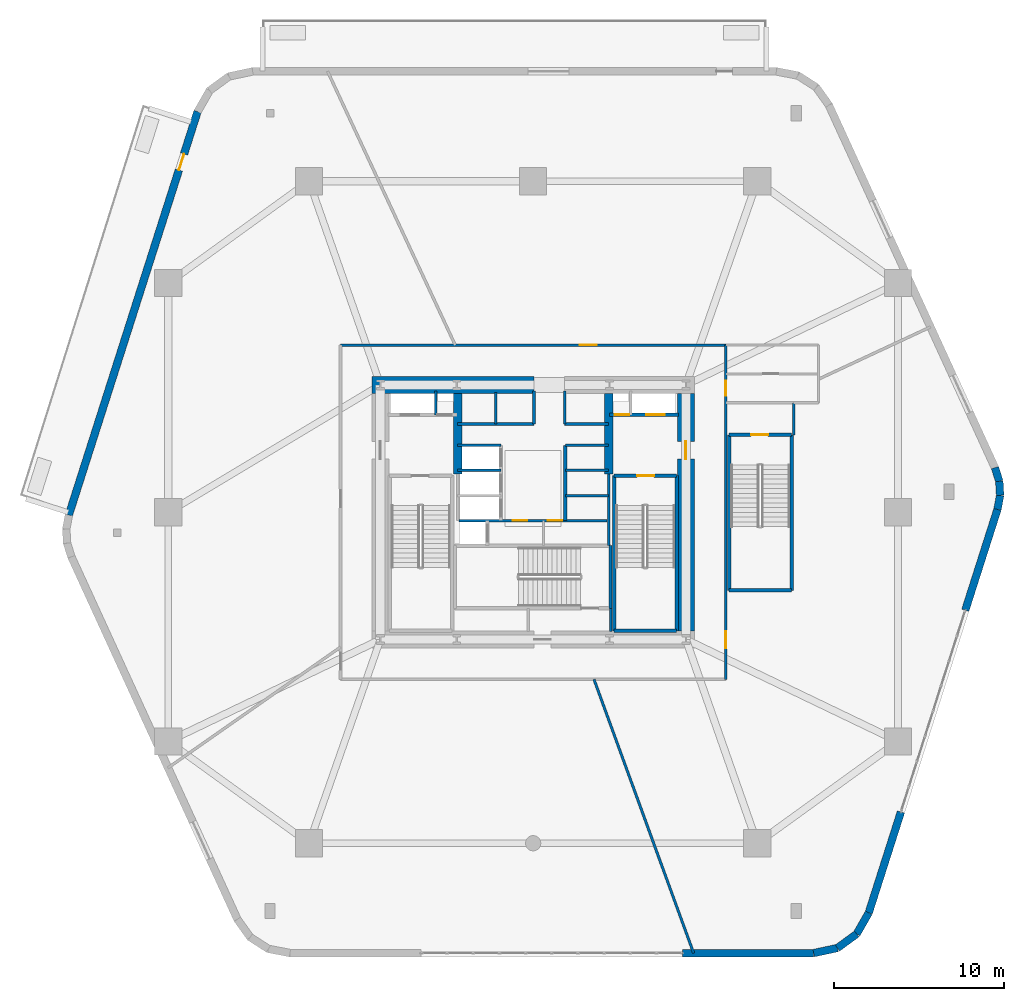
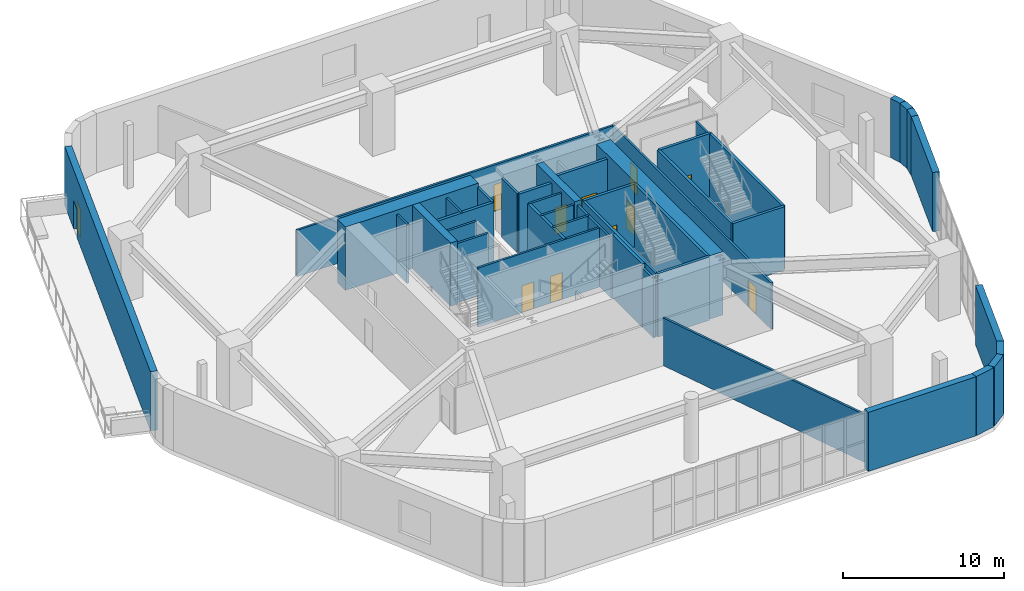
# One storey, part 12 of 15: 43 walls, 11 doors, 11 openings.
"""IFC4 building model written with IfcOpenShell, lengths in metres."""

from ifc_helpers import new_model, si_unit, direction, frame, frame_2d, origin, place, context, subcontext, project, spatial, rectangle, extrude, material, layer, layer_set, type_object, element, fill, save


model = new_model("IFC4")

# Units and contexts
model_context = context("Model", 3, precision=1e-05, world=origin(), true_north=direction((0.0, 1.0)))
body_context = subcontext(model_context, "Body", "Model", "MODEL_VIEW")
ifc_project = project(units=[si_unit("LENGTHUNIT", "METRE"), si_unit("AREAUNIT", "SQUARE_METRE"), si_unit("VOLUMEUNIT", "CUBIC_METRE"), si_unit("PLANEANGLEUNIT", "RADIAN"), si_unit("MASSUNIT", "GRAM", prefix="KILO")], contexts=[model_context])

# Site, building, storey
site_placement = place(None, origin())
site = spatial("IfcSite", under=ifc_project, at=site_placement, CompositionType="ELEMENT")
building_placement = place(site_placement, origin())
building = spatial("IfcBuilding", under=site, at=building_placement, Name="Kilnhurst Terrace Hotel", CompositionType="ELEMENT")
storey_placement = place(building_placement, frame((0.0, 0.0, 23.39990234375)))
storey = spatial("IfcBuildingStorey", under=building, at=storey_placement, Name="L04", CompositionType="ELEMENT", Elevation=23.39990234375)

# Walls
ifc_material_1 = material(Name="Precast concrete C40/50", Category="concrete")
ifc_layer_1 = layer(ifc_material_1, 0.449951171875, Name="Precast concrete C40/50")
ifc_layer_set_1 = layer_set([ifc_layer_1], Name="Precast concrete C40/50")
wall_type_1 = type_object("IfcWallType", Name="WL-BRK-450", PredefinedType="SOLIDWALL", material=ifc_layer_set_1)
wall_1_placement = place(storey_placement, frame((16.526123046875, -25.97509765625, 0.0), z_axis=(0.0, 0.0, 1.0), x_axis=(0.977966843806, 0.208760274995, 0.0)))
element("IfcWall", 1, at=wall_1_placement, inside=storey, type_object=wall_type_1, Name="L04 Rounded Corner Brick Wall C2.1", PredefinedType="SOLIDWALL", context=body_context, shape_type="SweptSolid", body=[
    extrude(rectangle(XDim=1.431396484375, YDim=0.449951171875, at=frame_2d((0.7158203125, 0.0))), origin(), (0.0, 0.0, 1.0), 4.47998046875),
])
wall_2_placement = place(storey_placement, frame((17.926025390625, -25.67626953125, 0.0), z_axis=(0.0, 0.0, 1.0), x_axis=(0.80747376574, 0.589903481632, 0.0)))
element("IfcWall", 2, at=wall_2_placement, inside=storey, type_object=wall_type_1, Name="L04 Rounded Corner Brick Wall C2.2", PredefinedType="SOLIDWALL", context=body_context, shape_type="SweptSolid", body=[
    extrude(rectangle(XDim=1.4072265625, YDim=0.449951171875, at=frame_2d((0.70361328125, 0.0))), origin(), (0.0, 0.0, 1.0), 4.47998046875),
])
wall_3_placement = place(storey_placement, frame((19.062255859375, -24.84619140625, 0.0), z_axis=(0.0, 0.0, 1.0), x_axis=(0.496194045245, 0.868211650154, 0.0)))
element("IfcWall", 3, at=wall_3_placement, inside=storey, type_object=wall_type_1, Name="L04 Rounded Corner Brick Wall C2.3", PredefinedType="SOLIDWALL", context=body_context, shape_type="SweptSolid", body=[
    extrude(rectangle(XDim=1.431396484375, YDim=0.449951171875, at=frame_2d((0.7158203125, 0.0))), origin(), (0.0, 0.0, 1.0), 4.47998046875),
])
wall_4_placement = place(storey_placement, frame((27.35791015625, 0.169189453125, 0.0), z_axis=(0.0, 0.0, 1.0), x_axis=(0.184673610867, 0.982799907127, 0.0)))
element("IfcWall", 4, at=wall_4_placement, inside=storey, type_object=wall_type_1, Name="L04 Rounded Corner Brick Wall C3.1", PredefinedType="SOLIDWALL", context=body_context, shape_type="SweptSolid", body=[
    extrude(rectangle(XDim=0.842041015625, YDim=0.449951171875, at=frame_2d((0.4208984375, 0.0))), origin(), (0.0, 0.0, 1.0), 4.47998046875),
])
wall_5_placement = place(storey_placement, frame((27.513427734375, 0.996826171875, 0.0), z_axis=(0.0, 0.0, 1.0), x_axis=(-0.060139031931, 0.998190010388, 0.0)))
element("IfcWall", 5, at=wall_5_placement, inside=storey, type_object=wall_type_1, Name="L04 Rounded Corner Brick Wall C3.2", PredefinedType="SOLIDWALL", context=body_context, shape_type="SweptSolid", body=[
    extrude(rectangle(XDim=0.828125, YDim=0.449951171875, at=frame_2d((0.4140625, 0.0))), origin(), (0.0, 0.0, 1.0), 4.47998046875),
])
wall_6_placement = place(storey_placement, frame((27.463623046875, 1.823486328125, 0.0), z_axis=(0.0, 0.0, 1.0), x_axis=(-0.301575430082, 0.953442321261, 0.0)))
element("IfcWall", 6, at=wall_6_placement, inside=storey, type_object=wall_type_1, Name="L04 Rounded Corner Brick Wall C3.3", PredefinedType="SOLIDWALL", context=body_context, shape_type="SweptSolid", body=[
    extrude(rectangle(XDim=0.842041015625, YDim=0.449951171875, at=frame_2d((0.4208984375, 0.0))), origin(), (0.0, 0.0, 1.0), 4.47998046875),
])
wall_7_placement = place(storey_placement, frame((8.812255859375, -25.97509765625, 0.0), z_axis=(0.0, 0.0, 1.0), x_axis=(1.0, 0.0, 0.0)))
element("IfcWall", 7, at=wall_7_placement, inside=storey, type_object=wall_type_1, Name="L04 Face 1 End Brick Pier", PredefinedType="SOLIDWALL", context=body_context, shape_type="SweptSolid", body=[
    extrude(rectangle(XDim=7.7138671875, YDim=0.449951171875, at=frame_2d((3.85693359375, 0.0))), origin(), (0.0, 0.0, 1.0), 4.47998046875),
])
wall_8_placement = place(storey_placement, frame((19.7724609375, -23.603515625, 0.0), z_axis=(0.0, 0.0, 1.0), x_axis=(0.303978958917, 0.952678745714, 0.0)))
element("IfcWall", 8, at=wall_8_placement, inside=storey, type_object=wall_type_1, Name="L04 Face 2 Brick Pier 1", PredefinedType="SOLIDWALL", context=body_context, shape_type="SweptSolid", body=[
    extrude(rectangle(XDim=6.238037109375, YDim=0.449951171875, at=frame_2d((3.119140625, 0.0))), origin(), (0.0, 0.0, 1.0), 4.47998046875),
])
wall_9_placement = place(storey_placement, frame((25.461669921875, -5.774169921875, 0.0), z_axis=(0.0, 0.0, 1.0), x_axis=(0.303956292677, 0.952685977719, 0.0)))
element("IfcWall", 9, at=wall_9_placement, inside=storey, type_object=wall_type_1, Name="L04 Face 2 End Brick Pier", PredefinedType="SOLIDWALL", context=body_context, shape_type="SweptSolid", body=[
    extrude(rectangle(XDim=6.238525390625, YDim=0.449951171875, at=frame_2d((3.119140625, 0.0))), origin(), (0.0, 0.0, 1.0), 4.47998046875),
])

# Wall, opening, door
wall_10_placement = place(storey_placement, frame((-19.7724609375, 23.603515625, 0.0), z_axis=(0.0, 0.0, 1.0), x_axis=(-0.303982551741, -0.952677599315, 0.0)))
wall_10 = element("IfcWall", 10, at=wall_10_placement, inside=storey, type_object=wall_type_1, Name="L04 Exterior Brick Facade Wall F5", PredefinedType="SOLIDWALL", context=body_context, shape_type="SweptSolid", body=[
    extrude(rectangle(XDim=24.95361328125, YDim=0.449951171875, at=frame_2d((12.476806640625, 0.0))), origin(), (0.0, 0.0, 1.0), 4.47998046875),
])
opening_1_placement = place(wall_10_placement, frame((2.618896484375, 0.0, 0.0)))
opening_1 = element("IfcOpeningElement", 11, at=opening_1_placement, cuts=wall_10, Name="Opening BD-1000", PredefinedType="OPENING", context=body_context, shape_type="SweptSolid", body=[
    extrude(rectangle(XDim=1.0, YDim=2.14990234375, at=frame_2d((0.5, 1.074951171875))), frame((0.0, 0.23486328125, 0.0), z_axis=(0.0, -1.0, 0.0), x_axis=(1.0, 0.0, 0.0)), (0.0, 0.0, 1.0), 0.469970703125),
])
ifc_material_2 = material(Name="Thermally Broken Bronze Aluminium Alloy 6063-T6 and Laminated Glass", Category="aluminium")
door_type_1 = type_object("IfcDoorType", Name="DR-EXT-BAL-1000", OperationType="NOTDEFINED", PredefinedType="DOOR", material=ifc_material_2)
door_1_placement = place(opening_1_placement, origin())
door_1 = element("IfcDoor", 12, at=door_1_placement, inside=storey, type_object=door_type_1, Name="L04 Planted Balcony Door TERR-2", OperationType="SINGLE_SWING_LEFT", OverallHeight=2.14990234375, OverallWidth=1.0, PredefinedType="DOOR", context=body_context, shape_type="SweptSolid", body=[
    extrude(rectangle(XDim=1.0, YDim=2.14990234375, at=frame_2d((0.5, 1.074951171875))), frame((0.0, 0.02490234375, 0.0), z_axis=(0.0, -1.0, 0.0), x_axis=(1.0, 0.0, 0.0)), (0.0, 0.0, 1.0), 0.050048828125),
])
fill(opening_1, door_1)

ifc_material_3 = material(Name="Acoustic Double-Gypsum Corridor Partition Assembly")
ifc_layer_2 = layer(ifc_material_3, 0.14990234375, Name="Acoustic Double-Gypsum Corridor Partition Assembly")
ifc_layer_set_2 = layer_set([ifc_layer_2], Name="Acoustic Double-Gypsum Corridor Partition Assembly")
wall_type_2 = type_object("IfcWallType", Name="WL-COR-150", PredefinedType="PARTITIONING", material=ifc_layer_set_2)
wall_11_placement = place(storey_placement, frame((-11.35009765625, 9.85009765625, 0.0), z_axis=(0.0, 0.0, 1.0), x_axis=(1.0, 0.0, 0.0)))
wall_11 = element("IfcWall", 13, at=wall_11_placement, inside=storey, type_object=wall_type_2, Name="L04 Interior Wall WL-L04-COR-02", PredefinedType="PARTITIONING", context=body_context, shape_type="SweptSolid", body=[
    extrude(rectangle(XDim=22.7001953125, YDim=0.14990234375, at=frame_2d((11.35009765625, 0.0))), origin(), (0.0, 0.0, 1.0), 3.52197265625),
])
opening_2_placement = place(wall_11_placement, frame((14.095947265625, 0.0, 0.0)))
opening_2 = element("IfcOpeningElement", 14, at=opening_2_placement, cuts=wall_11, Name="Opening D-10A", PredefinedType="OPENING", context=body_context, shape_type="SweptSolid", body=[
    extrude(rectangle(XDim=1.0, YDim=2.030029296875, at=frame_2d((0.5, 1.01513671875))), frame((0.0, 0.0849609375, 0.0), z_axis=(0.0, -1.0, 0.0), x_axis=(1.0, 0.0, 0.0)), (0.0, 0.0, 1.0), 0.169921875),
])
ifc_material_4 = material(Name="Solid-Core American White Oak Interior Door")
door_type_2 = type_object("IfcDoorType", Name="DR-INT-1000", OperationType="NOTDEFINED", PredefinedType="DOOR", material=ifc_material_4)
door_2_placement = place(opening_2_placement, origin())
door_2 = element("IfcDoor", 15, at=door_2_placement, inside=storey, type_object=door_type_2, Name="L04 Athletic Fitness Studio and Movement Hall Door", OperationType="SINGLE_SWING_LEFT", OverallHeight=2.030029296875, OverallWidth=1.0, PredefinedType="DOOR", context=body_context, shape_type="SweptSolid", body=[
    extrude(rectangle(XDim=1.0, YDim=2.030029296875, at=frame_2d((0.5, 1.01513671875))), frame((0.0, 0.02490234375, 0.0), z_axis=(0.0, -1.0, 0.0), x_axis=(1.0, 0.0, 0.0)), (0.0, 0.0, 1.0), 0.050048828125),
])
fill(opening_2, door_2)

# Wall, openings, doors
wall_12_placement = place(storey_placement, frame((11.35009765625, 9.85009765625, 0.0), z_axis=(0.0, 0.0, 1.0), x_axis=(0.0, -1.0, 0.0)))
wall_12 = element("IfcWall", 16, at=wall_12_placement, inside=storey, type_object=wall_type_2, Name="L04 Interior Wall WL-L04-COR-03", PredefinedType="PARTITIONING", context=body_context, shape_type="SweptSolid", body=[
    extrude(rectangle(XDim=19.7001953125, YDim=0.14990234375, at=frame_2d((9.85009765625, 0.0))), origin(), (0.0, 0.0, 1.0), 3.52197265625),
])
opening_3_placement = place(wall_12_placement, frame((2.10009765625, 0.0, 0.0)))
opening_3 = element("IfcOpeningElement", 17, at=opening_3_placement, cuts=wall_12, Name="Opening D-09B", PredefinedType="OPENING", context=body_context, shape_type="SweptSolid", body=[
    extrude(rectangle(XDim=0.89990234375, YDim=2.030029296875, at=frame_2d((0.449951171875, 1.01513671875))), frame((0.0, 0.0849609375, 0.0), z_axis=(0.0, -1.0, 0.0), x_axis=(1.0, 0.0, 0.0)), (0.0, 0.0, 1.0), 0.169921875),
])
opening_4_placement = place(wall_12_placement, frame((16.875, 0.0, 0.0)))
opening_4 = element("IfcOpeningElement", 18, at=opening_4_placement, cuts=wall_12, Name="Opening D-10A", PredefinedType="OPENING", context=body_context, shape_type="SweptSolid", body=[
    extrude(rectangle(XDim=1.0, YDim=2.030029296875, at=frame_2d((0.5, 1.01513671875))), frame((0.0, 0.0849609375, 0.0), z_axis=(0.0, -1.0, 0.0), x_axis=(1.0, 0.0, 0.0)), (0.0, 0.0, 1.0), 0.169921875),
])
door_3_placement = place(opening_4_placement, origin())
door_3 = element("IfcDoor", 19, at=door_3_placement, inside=storey, type_object=door_type_2, Name="L04 Thermal Sauna and Wellness Treatment Rooms Door", OperationType="SINGLE_SWING_RIGHT", OverallHeight=2.030029296875, OverallWidth=1.0, PredefinedType="DOOR", context=body_context, shape_type="SweptSolid", body=[
    extrude(rectangle(XDim=1.0, YDim=2.030029296875, at=frame_2d((0.5, 1.01513671875))), frame((0.0, 0.02490234375, 0.0), z_axis=(0.0, -1.0, 0.0), x_axis=(1.0, 0.0, 0.0)), (0.0, 0.0, 1.0), 0.050048828125),
])
fill(opening_4, door_3)
ifc_material_5 = material(Name="Moisture-Resistant Solid-Core Restroom Door")
door_type_3 = type_object("IfcDoorType", Name="DR-INT-900", OperationType="NOTDEFINED", PredefinedType="DOOR", material=ifc_material_5)
door_4_placement = place(opening_3_placement, origin())
door_4 = element("IfcDoor", 20, at=door_4_placement, inside=storey, type_object=door_type_3, Name="L04 Public Restrooms Door", OperationType="SINGLE_SWING_LEFT", OverallHeight=2.030029296875, OverallWidth=0.89990234375, PredefinedType="DOOR", context=body_context, shape_type="SweptSolid", body=[
    extrude(rectangle(XDim=0.89990234375, YDim=2.030029296875, at=frame_2d((0.449951171875, 1.01513671875))), frame((0.0, 0.02490234375, 0.0), z_axis=(0.0, -1.0, 0.0), x_axis=(1.0, 0.0, 0.0)), (0.0, 0.0, 1.0), 0.050048828125),
])
fill(opening_3, door_4)

# Walls
wall_13_placement = place(storey_placement, frame((15.35009765625, 4.55810546875, 0.0), z_axis=(0.0, 0.0, 1.0), x_axis=(0.0, 1.0, 0.0)))
element("IfcWall", 21, at=wall_13_placement, inside=storey, type_object=wall_type_2, Name="L04 Interior Wall WL-L04-ST4-VEST-E", PredefinedType="PARTITIONING", context=body_context, shape_type="SweptSolid", body=[
    extrude(rectangle(XDim=1.891845703125, YDim=0.14990234375, at=frame_2d((0.94580078125, 0.0))), origin(), (0.0, 0.0, 1.0), 4.47998046875),
])
ifc_material_6 = material(Name="Concrete C80/95", Category="concrete")
ifc_layer_3 = layer(ifc_material_6, 1.0, Name="Concrete C80/95")
ifc_layer_set_3 = layer_set([ifc_layer_3], Name="Concrete C80/95")
wall_type_3 = type_object("IfcWallType", Name="WL-CORE-1000", PredefinedType="SHEAR", material=ifc_layer_set_3)
wall_14_placement = place(storey_placement, frame((-9.5, 7.5, 0.0), z_axis=(0.0, 0.0, 1.0), x_axis=(1.0, 0.0, 0.0)))
element("IfcWall", 22, at=wall_14_placement, inside=storey, type_object=wall_type_3, Name="L04 Core North West Shear Wall", PredefinedType="SHEAR", context=body_context, shape_type="SweptSolid", body=[
    extrude(rectangle(XDim=9.550048828125, YDim=1.0, at=frame_2d((4.77490234375, 0.0))), origin(), (0.0, 0.0, 1.0), 4.800048828125),
])

# Wall, opening, door
wall_15_placement = place(storey_placement, frame((9.0, -7.0, 0.0), z_axis=(0.0, 0.0, 1.0), x_axis=(0.0, 1.0, 0.0)))
wall_15 = element("IfcWall", 23, at=wall_15_placement, inside=storey, type_object=wall_type_3, Name="L04 Core East Shear Wall", PredefinedType="SHEAR", context=body_context, shape_type="SweptSolid", body=[
    extrude(rectangle(XDim=14.0, YDim=1.0, at=frame_2d((7.0, 0.0))), origin(), (0.0, 0.0, 1.0), 4.800048828125),
])
opening_5_placement = place(wall_15_placement, frame((10.125, 0.0, 0.0)))
opening_5 = element("IfcOpeningElement", 24, at=opening_5_placement, cuts=wall_15, Name="Opening D-90A", PredefinedType="OPENING", context=body_context, shape_type="SweptSolid", body=[
    extrude(rectangle(XDim=1.050048828125, YDim=2.14990234375, at=frame_2d((0.52490234375, 1.074951171875))), frame((0.0, 0.510009765625, 0.0), z_axis=(0.0, -1.0, 0.0), x_axis=(1.0, 0.0, 0.0)), (0.0, 0.0, 1.0), 1.02001953125),
])
ifc_material_7 = material(Name="Painted Hollow Metal Steel ASTM A36 Fire Door", Category="steel")
door_type_4 = type_object("IfcDoorType", Name="DR-FD90-1050", OperationType="NOTDEFINED", PredefinedType="DOOR", material=ifc_material_7)
door_5_placement = place(opening_5_placement, origin())
door_5 = element("IfcDoor", 25, at=door_5_placement, inside=storey, type_object=door_type_4, Name="L04 East Firefighting Lobby Door", OperationType="SINGLE_SWING_LEFT", OverallHeight=2.14990234375, OverallWidth=1.050048828125, PredefinedType="DOOR", context=body_context, shape_type="SweptSolid", body=[
    extrude(rectangle(XDim=1.050048828125, YDim=2.14990234375, at=frame_2d((0.52490234375, 1.074951171875))), frame((0.0, 0.02490234375, 0.0), z_axis=(0.0, -1.0, 0.0), x_axis=(1.0, 0.0, 0.0)), (0.0, 0.0, 1.0), 0.050048828125),
])
fill(opening_5, door_5)

# Walls
ifc_material_8 = material(Name="Concrete C60/75", Category="concrete")
ifc_layer_4 = layer(ifc_material_8, 0.5, Name="Concrete C60/75")
ifc_layer_set_4 = layer_set([ifc_layer_4], Name="Concrete C60/75")
wall_type_4 = type_object("IfcWallType", Name="WL-CORE-WEB-500", PredefinedType="SHEAR", material=ifc_layer_set_4)
for number, where, z_axis, x_axis, name in (
    (26, (-4.449951171875, 2.25, 0.0), (0.0, 0.0, 1.0), (0.0, 1.0, 0.0), "L04 Core Internal West Shear Web"),
    (27, (4.449951171875, 2.25, 0.0), (0.0, 0.0, 1.0), (0.0, 1.0, 0.0), "L04 Core Internal East Shear Web"),
):
    element("IfcWall", number, at=place(storey_placement, frame(where, z_axis=z_axis, x_axis=x_axis)), inside=storey, type_object=wall_type_4, Name=name, PredefinedType="SHEAR", context=body_context, shape_type="SweptSolid", body=[
        extrude(rectangle(XDim=4.75, YDim=0.5, at=frame_2d((2.375, 0.0))), origin(), (0.0, 0.0, 1.0), 4.800048828125),
    ])
ifc_material_9 = material(Name="150 mm Acoustic Gypsum Hospitality Partition")
ifc_layer_5 = layer(ifc_material_9, 0.14990234375, Name="150 mm Acoustic Gypsum Hospitality Partition")
ifc_layer_set_5 = layer_set([ifc_layer_5], Name="150 mm Acoustic Gypsum Hospitality Partition")
wall_type_5 = type_object("IfcWallType", Name="WL-PART-150", PredefinedType="PARTITIONING", material=ifc_layer_set_5)
wall_16_placement = place(storey_placement, frame((3.585205078125, -9.85009765625, 0.0), z_axis=(0.0, 0.0, 1.0), x_axis=(0.342013785947, -0.939694934658, 0.0)))
element("IfcWall", 28, at=wall_16_placement, inside=storey, type_object=wall_type_5, Name="L04 Interior Wall WL-L04-PDIV-2-1", PredefinedType="PARTITIONING", context=body_context, shape_type="SweptSolid", body=[
    extrude(rectangle(XDim=17.159912109375, YDim=0.14990234375, at=frame_2d((8.580078125, 0.0))), origin(), (0.0, 0.0, 1.0), 3.6123046875),
])
ifc_material_10 = material(Name="Fire-Rated Gypsum Shaftliner Assembly")
ifc_layer_6 = layer(ifc_material_10, 0.14990234375, Name="Fire-Rated Gypsum Shaftliner Assembly")
ifc_layer_set_6 = layer_set([ifc_layer_6], Name="Fire-Rated Gypsum Shaftliner Assembly")
wall_type_6 = type_object("IfcWallType", Name="WL-SHAFT-150", PredefinedType="PARTITIONING", material=ifc_layer_set_6)
wall_17_placement = place(storey_placement, frame((4.55810546875, -7.02001953125, 0.0), z_axis=(0.0, 0.0, 1.0), x_axis=(0.0, 1.0, 0.0)))
element("IfcWall", 29, at=wall_17_placement, inside=storey, type_object=wall_type_6, Name="L04 Interior Wall WL-L04-ST3-PSGE", PredefinedType="PARTITIONING", context=body_context, shape_type="SweptSolid", body=[
    extrude(rectangle(XDim=1.362060546875, YDim=0.14990234375, at=frame_2d((0.68115234375, 0.0))), origin(), (0.0, 0.0, 1.0), 4.47998046875),
])
wall_18_placement = place(storey_placement, frame((-5.75, 5.739990234375, 0.0), z_axis=(0.0, 0.0, 1.0), x_axis=(0.0, 1.0, 0.0)))
element("IfcWall", 30, at=wall_18_placement, inside=storey, type_object=wall_type_6, Name="L04 Interior Wall WL-L04-RIS1-DIV", PredefinedType="PARTITIONING", context=body_context, shape_type="SweptSolid", body=[
    extrude(rectangle(XDim=1.409912109375, YDim=0.14990234375, at=frame_2d((0.705078125, 0.0))), origin(), (0.0, 0.0, 1.0), 4.47998046875),
])
wall_19_placement = place(storey_placement, frame((-2.199951171875, 5.199951171875, 0.0), z_axis=(0.0, 0.0, 1.0), x_axis=(0.0, 1.0, 0.0)))
element("IfcWall", 31, at=wall_19_placement, inside=storey, type_object=wall_type_6, Name="L04 Interior Wall WL-L04-HR-DIV1", PredefinedType="PARTITIONING", context=body_context, shape_type="SweptSolid", body=[
    extrude(rectangle(XDim=1.85009765625, YDim=0.14990234375, at=frame_2d((0.925048828125, 0.0))), origin(), (0.0, 0.0, 1.0), 4.47998046875),
])
for number, where, z_axis, x_axis, name in (
    (32, (0.050048828125, 5.199951171875, 0.0), (0.0, 0.0, 1.0), (0.0, 1.0, 0.0), "L04 Interior Wall WL-L04-HR-PORTAL-W"),
    (33, (1.85009765625, 5.199951171875, 0.0), (0.0, 0.0, 1.0), (0.0, 1.0, 0.0), "L04 Interior Wall WL-L04-HR-PORTAL-E"),
):
    element("IfcWall", number, at=place(storey_placement, frame(where, z_axis=z_axis, x_axis=x_axis)), inside=storey, type_object=wall_type_6, Name=name, PredefinedType="PARTITIONING", context=body_context, shape_type="SweptSolid", body=[
        extrude(rectangle(XDim=1.949951171875, YDim=0.14990234375, at=frame_2d((0.97509765625, 0.0))), origin(), (0.0, 0.0, 1.0), 4.47998046875),
    ])
wall_20_placement = place(storey_placement, frame((4.449951171875, -1.971923828125, 0.0), z_axis=(0.0, 0.0, 1.0), x_axis=(0.0, 1.0, 0.0)))
element("IfcWall", 34, at=wall_20_placement, inside=storey, type_object=wall_type_6, Name="L04 Interior Wall WL-L04-XLOB-E", PredefinedType="PARTITIONING", context=body_context, shape_type="SweptSolid", body=[
    extrude(rectangle(XDim=4.221923828125, YDim=0.14990234375, at=frame_2d((2.11083984375, 0.0))), origin(), (0.0, 0.0, 1.0), 4.47998046875),
])
for number, where, z_axis, x_axis, name in (
    (35, (-4.449951171875, 3.93994140625, 0.0), (0.0, 0.0, 1.0), (1.0, 0.0, 0.0), "L04 Interior Wall WL-L04-LR-NORTH"),
    (36, (-4.449951171875, 2.4599609375, 0.0), (0.0, 0.0, 1.0), (1.0, 0.0, 0.0), "L04 Interior Wall WL-L04-LR-D2"),
    (37, (1.89990234375, 3.93994140625, 0.0), (0.0, 0.0, 1.0), (1.0, 0.0, 0.0), "L04 Interior Wall WL-L04-MR-NORTH"),
    (38, (1.89990234375, 0.97998046875, 0.0), (0.0, 0.0, 1.0), (1.0, 0.0, 0.0), "L04 Interior Wall WL-L04-MR-D1"),
    (39, (1.89990234375, 2.4599609375, 0.0), (0.0, 0.0, 1.0), (1.0, 0.0, 0.0), "L04 Interior Wall WL-L04-MR-D2"),
):
    element("IfcWall", number, at=place(storey_placement, frame(where, z_axis=z_axis, x_axis=x_axis)), inside=storey, type_object=wall_type_6, Name=name, PredefinedType="PARTITIONING", context=body_context, shape_type="SweptSolid", body=[
        extrude(rectangle(XDim=2.550048828125, YDim=0.14990234375, at=frame_2d((1.27490234375, 0.0))), origin(), (0.0, 0.0, 1.0), 4.47998046875),
    ])

# Wall, openings, doors
wall_21_placement = place(storey_placement, frame((-4.360107421875, -0.489990234375, 0.0), z_axis=(0.0, 0.0, 1.0), x_axis=(1.0, 0.0, 0.0)))
wall_21 = element("IfcWall", 40, at=wall_21_placement, inside=storey, type_object=wall_type_6, Name="L04 Interior Wall WL-L04-BOH-N", PredefinedType="PARTITIONING", context=body_context, shape_type="SweptSolid", body=[
    extrude(rectangle(XDim=8.72021484375, YDim=0.14990234375, at=frame_2d((4.360107421875, 0.0))), origin(), (0.0, 0.0, 1.0), 4.47998046875),
])
opening_6_placement = place(wall_21_placement, frame((3.159912109375, 0.0, 0.0)))
opening_6 = element("IfcOpeningElement", 41, at=opening_6_placement, cuts=wall_21, Name="Opening D-60D", PredefinedType="OPENING", context=body_context, shape_type="SweptSolid", body=[
    extrude(rectangle(XDim=0.85009765625, YDim=2.030029296875, at=frame_2d((0.425048828125, 1.01513671875))), frame((0.0, 0.0849609375, 0.0), z_axis=(0.0, -1.0, 0.0), x_axis=(1.0, 0.0, 0.0)), (0.0, 0.0, 1.0), 0.169921875),
])
opening_7_placement = place(wall_21_placement, frame((5.2099609375, 0.0, 0.0)))
opening_7 = element("IfcOpeningElement", 42, at=opening_7_placement, cuts=wall_21, Name="Opening D-60D", PredefinedType="OPENING", context=body_context, shape_type="SweptSolid", body=[
    extrude(rectangle(XDim=0.85009765625, YDim=2.030029296875, at=frame_2d((0.425048828125, 1.01513671875))), frame((0.0, 0.0849609375, 0.0), z_axis=(0.0, -1.0, 0.0), x_axis=(1.0, 0.0, 0.0)), (0.0, 0.0, 1.0), 0.169921875),
])
ifc_material_11 = material(Name="Painted Hollow Metal Steel ASTM A36 Riser Door", Category="steel")
door_type_5 = type_object("IfcDoorType", Name="DR-FD60-850", OperationType="NOTDEFINED", PredefinedType="DOOR", material=ifc_material_11)
door_6_placement = place(opening_6_placement, origin())
door_6 = element("IfcDoor", 43, at=door_6_placement, inside=storey, type_object=door_type_5, Name="L04 Housekeeping Laundry Door", OperationType="SINGLE_SWING_LEFT", OverallHeight=2.030029296875, OverallWidth=0.85009765625, PredefinedType="DOOR", context=body_context, shape_type="SweptSolid", body=[
    extrude(rectangle(XDim=0.85009765625, YDim=2.030029296875, at=frame_2d((0.425048828125, 1.01513671875))), frame((0.0, 0.02490234375, 0.0), z_axis=(0.0, -1.0, 0.0), x_axis=(1.0, 0.0, 0.0)), (0.0, 0.0, 1.0), 0.050048828125),
])
fill(opening_6, door_6)
door_7_placement = place(opening_7_placement, origin())
door_7 = element("IfcDoor", 44, at=door_7_placement, inside=storey, type_object=door_type_5, Name="L04 Room Service Kitchen Door", OperationType="SINGLE_SWING_RIGHT", OverallHeight=2.030029296875, OverallWidth=0.85009765625, PredefinedType="DOOR", context=body_context, shape_type="SweptSolid", body=[
    extrude(rectangle(XDim=0.85009765625, YDim=2.030029296875, at=frame_2d((0.425048828125, 1.01513671875))), frame((0.0, 0.02490234375, 0.0), z_axis=(0.0, -1.0, 0.0), x_axis=(1.0, 0.0, 0.0)), (0.0, 0.0, 1.0), 0.050048828125),
])
fill(opening_7, door_7)

ifc_material_12 = material(Name="Autoclaved Aerated Concrete C30/37 and Gypsum Shaft Assembly", Category="concrete")
ifc_layer_7 = layer(ifc_material_12, 0.199951171875, Name="Autoclaved Aerated Concrete C30/37 and Gypsum Shaft Assembly")
ifc_layer_set_7 = layer_set([ifc_layer_7], Name="Autoclaved Aerated Concrete C30/37 and Gypsum Shaft Assembly")
wall_type_7 = type_object("IfcWallType", Name="WL-SHAFT-200", PredefinedType="PARTITIONING", material=ifc_layer_set_7)
wall_22_placement = place(storey_placement, frame((4.5, 5.739990234375, 0.0), z_axis=(0.0, 0.0, 1.0), x_axis=(1.0, 0.0, 0.0)))
wall_22 = element("IfcWall", 45, at=wall_22_placement, inside=storey, type_object=wall_type_7, Name="L04 Interior Wall WL-L04-FSAE2-S", PredefinedType="PARTITIONING", context=body_context, shape_type="SweptSolid", body=[
    extrude(rectangle(XDim=4.050048828125, YDim=0.199951171875, at=frame_2d((2.02490234375, 0.0))), origin(), (0.0, 0.0, 1.0), 4.47998046875),
])
opening_8_placement = place(wall_22_placement, frame((0.300048828125, 0.0, 0.0)))
opening_8 = element("IfcOpeningElement", 46, at=opening_8_placement, cuts=wall_22, Name="Opening D-60D", PredefinedType="OPENING", context=body_context, shape_type="SweptSolid", body=[
    extrude(rectangle(XDim=0.85009765625, YDim=2.030029296875, at=frame_2d((0.425048828125, 1.01513671875))), frame((0.0, 0.10986328125, 0.0), z_axis=(0.0, -1.0, 0.0), x_axis=(1.0, 0.0, 0.0)), (0.0, 0.0, 1.0), 0.219970703125),
])
opening_9_placement = place(wall_22_placement, frame((2.14990234375, 0.0, 0.0)))
opening_9 = element("IfcOpeningElement", 47, at=opening_9_placement, cuts=wall_22, Name="Opening LD-F2", PredefinedType="OPENING", context=body_context, shape_type="SweptSolid", body=[
    extrude(rectangle(XDim=1.10009765625, YDim=2.199951171875, at=frame_2d((0.550048828125, 1.10009765625))), frame((0.0, 0.10986328125, 0.0), z_axis=(0.0, -1.0, 0.0), x_axis=(1.0, 0.0, 0.0)), (0.0, 0.0, 1.0), 0.219970703125),
])
door_8_placement = place(opening_8_placement, origin())
door_8 = element("IfcDoor", 48, at=door_8_placement, inside=storey, type_object=door_type_5, Name="L04 Telecom Riser Door", OperationType="SINGLE_SWING_RIGHT", OverallHeight=2.030029296875, OverallWidth=0.85009765625, PredefinedType="DOOR", context=body_context, shape_type="SweptSolid", body=[
    extrude(rectangle(XDim=0.85009765625, YDim=2.030029296875, at=frame_2d((0.425048828125, 1.01513671875))), frame((0.0, 0.02490234375, 0.0), z_axis=(0.0, -1.0, 0.0), x_axis=(1.0, 0.0, 0.0)), (0.0, 0.0, 1.0), 0.050048828125),
])
fill(opening_8, door_8)
ifc_material_13 = material(Name="Bronze-Anodized Stainless Steel AISI 316L Sliding Door", Category="steel")
door_type_6 = type_object("IfcDoorType", Name="DR-LIFT-1100", OperationType="NOTDEFINED", PredefinedType="DOOR", material=ifc_material_13)
door_9_placement = place(opening_9_placement, origin())
door_9 = element("IfcDoor", 49, at=door_9_placement, inside=storey, type_object=door_type_6, Name="L04 FSAE-2 Landing Door", OperationType="SLIDING_TO_RIGHT", OverallHeight=2.199951171875, OverallWidth=1.10009765625, PredefinedType="DOOR", context=body_context, shape_type="SweptSolid", body=[
    extrude(rectangle(XDim=1.10009765625, YDim=2.199951171875, at=frame_2d((0.550048828125, 1.10009765625))), frame((0.0, 0.02490234375, 0.0), z_axis=(0.0, -1.0, 0.0), x_axis=(1.0, 0.0, 0.0)), (0.0, 0.0, 1.0), 0.050048828125),
])
fill(opening_9, door_9)

# Walls
wall_23_placement = place(storey_placement, frame((-4.449951171875, 5.199951171875, 0.0), z_axis=(0.0, 0.0, 1.0), x_axis=(1.0, 0.0, 0.0)))
element("IfcWall", 50, at=wall_23_placement, inside=storey, type_object=wall_type_7, Name="L04 Interior Wall WL-L04-HR-SW", PredefinedType="PARTITIONING", context=body_context, shape_type="SweptSolid", body=[
    extrude(rectangle(XDim=4.5, YDim=0.199951171875, at=frame_2d((2.25, 0.0))), origin(), (0.0, 0.0, 1.0), 4.47998046875),
])
wall_24_placement = place(storey_placement, frame((1.85009765625, 5.199951171875, 0.0), z_axis=(0.0, 0.0, 1.0), x_axis=(1.0, 0.0, 0.0)))
element("IfcWall", 51, at=wall_24_placement, inside=storey, type_object=wall_type_7, Name="L04 Interior Wall WL-L04-HR-SE", PredefinedType="PARTITIONING", context=body_context, shape_type="SweptSolid", body=[
    extrude(rectangle(XDim=2.599853515625, YDim=0.199951171875, at=frame_2d((1.2998046875, 0.0))), origin(), (0.0, 0.0, 1.0), 4.47998046875),
])
wall_25_placement = place(storey_placement, frame((1.89990234375, -0.5, 0.0), z_axis=(0.0, 0.0, 1.0), x_axis=(0.0, 1.0, 0.0)))
element("IfcWall", 52, at=wall_25_placement, inside=storey, type_object=wall_type_7, Name="L04 Interior Wall WL-L04-MR-FRONT", PredefinedType="PARTITIONING", context=body_context, shape_type="SweptSolid", body=[
    extrude(rectangle(XDim=4.43994140625, YDim=0.199951171875, at=frame_2d((2.219970703125, 0.0))), origin(), (0.0, 0.0, 1.0), 4.47998046875),
])
ifc_material_14 = material(Name="Concrete C50/60", Category="concrete")
ifc_layer_8 = layer(ifc_material_14, 0.199951171875, Name="Concrete C50/60")
ifc_layer_set_8 = layer_set([ifc_layer_8], Name="Concrete C50/60")
wall_type_8 = type_object("IfcWallType", Name="WL-STAIR-RC-200", PredefinedType="SHEAR", material=ifc_layer_set_8)
for number, where, z_axis, x_axis, name in (
    (53, (4.77197265625, -6.985107421875, 0.0), (0.0, 0.0, 1.0), (0.0, 1.0, 0.0), "L04 Structural Stair Shaft Wall WL-L04-ST2-W"),
    (54, (8.4580078125, -6.985107421875, 0.0), (0.0, 0.0, 1.0), (0.0, 1.0, 0.0), "L04 Structural Stair Shaft Wall WL-L04-ST2-E"),
):
    element("IfcWall", number, at=place(storey_placement, frame(where, z_axis=z_axis, x_axis=x_axis)), inside=storey, type_object=wall_type_8, Name=name, PredefinedType="SHEAR", context=body_context, shape_type="SweptSolid", body=[
        extrude(rectangle(XDim=9.14306640625, YDim=0.199951171875, at=frame_2d((4.571533203125, 0.0))), origin(), (0.0, 0.0, 1.0), 4.800048828125),
    ])
wall_26_placement = place(storey_placement, frame((4.77197265625, -6.985107421875, 0.0), z_axis=(0.0, 0.0, 1.0), x_axis=(1.0, 0.0, 0.0)))
element("IfcWall", 55, at=wall_26_placement, inside=storey, type_object=wall_type_8, Name="L04 Structural Stair Shaft Wall WL-L04-ST2-S", PredefinedType="SHEAR", context=body_context, shape_type="SweptSolid", body=[
    extrude(rectangle(XDim=3.68603515625, YDim=0.199951171875, at=frame_2d((1.843017578125, 0.0))), origin(), (0.0, 0.0, 1.0), 4.800048828125),
])

# Wall, opening, door
wall_27_placement = place(storey_placement, frame((4.77197265625, 2.157958984375, 0.0), z_axis=(0.0, 0.0, 1.0), x_axis=(1.0, 0.0, 0.0)))
wall_27 = element("IfcWall", 56, at=wall_27_placement, inside=storey, type_object=wall_type_8, Name="L04 Structural Stair Shaft Wall WL-L04-ST2-N", PredefinedType="SHEAR", context=body_context, shape_type="SweptSolid", body=[
    extrude(rectangle(XDim=3.68603515625, YDim=0.199951171875, at=frame_2d((1.843017578125, 0.0))), origin(), (0.0, 0.0, 1.0), 4.800048828125),
])
opening_10_placement = place(wall_27_placement, frame((1.35009765625, 0.0, 0.0)))
opening_10 = element("IfcOpeningElement", 57, at=opening_10_placement, cuts=wall_27, Name="Opening D-90B", PredefinedType="OPENING", context=body_context, shape_type="SweptSolid", body=[
    extrude(rectangle(XDim=1.0, YDim=2.14990234375, at=frame_2d((0.5, 1.074951171875))), frame((0.0, 0.10986328125, 0.0), z_axis=(0.0, -1.0, 0.0), x_axis=(1.0, 0.0, 0.0)), (0.0, 0.0, 1.0), 0.219970703125),
])
door_type_7 = type_object("IfcDoorType", Name="DR-FD90-1000", OperationType="NOTDEFINED", PredefinedType="DOOR", material=ifc_material_7)
door_10_placement = place(opening_10_placement, origin())
door_10 = element("IfcDoor", 58, at=door_10_placement, inside=storey, type_object=door_type_7, Name="L04 Stair ST-2 Door", OperationType="SINGLE_SWING_RIGHT", OverallHeight=2.14990234375, OverallWidth=1.0, PredefinedType="DOOR", context=body_context, shape_type="SweptSolid", body=[
    extrude(rectangle(XDim=1.0, YDim=2.14990234375, at=frame_2d((0.5, 1.074951171875))), frame((0.0, 0.02490234375, 0.0), z_axis=(0.0, -1.0, 0.0), x_axis=(1.0, 0.0, 0.0)), (0.0, 0.0, 1.0), 0.050048828125),
])
fill(opening_10, door_10)

# Walls
wall_28_placement = place(storey_placement, frame((4.55810546875, -5.657958984375, 0.0), z_axis=(0.0, 0.0, 1.0), x_axis=(0.0, 1.0, 0.0)))
element("IfcWall", 59, at=wall_28_placement, inside=storey, type_object=wall_type_8, Name="L04 Structural Stair Shaft Wall WL-L04-ST3-E", PredefinedType="SHEAR", context=body_context, shape_type="SweptSolid", body=[
    extrude(rectangle(XDim=3.68603515625, YDim=0.199951171875, at=frame_2d((1.843017578125, 0.0))), origin(), (0.0, 0.0, 1.0), 4.800048828125),
])
for number, where, z_axis, x_axis, name in (
    (60, (11.5419921875, -4.60791015625, 0.0), (0.0, 0.0, 1.0), (0.0, 1.0, 0.0), "L04 Podium Stair ST-4 Structural Shaft Wall WL-L04-ST4-W"),
    (61, (15.22802734375, -4.60791015625, 0.0), (0.0, 0.0, 1.0), (0.0, 1.0, 0.0), "L04 Podium Stair ST-4 Structural Shaft Wall WL-L04-ST4-E"),
):
    element("IfcWall", number, at=place(storey_placement, frame(where, z_axis=z_axis, x_axis=x_axis)), inside=storey, type_object=wall_type_8, Name=name, PredefinedType="SHEAR", context=body_context, shape_type="SweptSolid", body=[
        extrude(rectangle(XDim=9.166015625, YDim=0.199951171875, at=frame_2d((4.5830078125, 0.0))), origin(), (0.0, 0.0, 1.0), 4.800048828125),
    ])
wall_29_placement = place(storey_placement, frame((11.5419921875, -4.60791015625, 0.0), z_axis=(0.0, 0.0, 1.0), x_axis=(1.0, 0.0, 0.0)))
element("IfcWall", 62, at=wall_29_placement, inside=storey, type_object=wall_type_8, Name="L04 Podium Stair ST-4 Structural Shaft Wall WL-L04-ST4-S", PredefinedType="SHEAR", context=body_context, shape_type="SweptSolid", body=[
    extrude(rectangle(XDim=3.68603515625, YDim=0.199951171875, at=frame_2d((1.843017578125, 0.0))), origin(), (0.0, 0.0, 1.0), 4.800048828125),
])

# Wall, opening, door
wall_30_placement = place(storey_placement, frame((11.5419921875, 4.55810546875, 0.0), z_axis=(0.0, 0.0, 1.0), x_axis=(1.0, 0.0, 0.0)))
wall_30 = element("IfcWall", 63, at=wall_30_placement, inside=storey, type_object=wall_type_8, Name="L04 Podium Stair ST-4 Structural Shaft Wall WL-L04-ST4-N", PredefinedType="SHEAR", context=body_context, shape_type="SweptSolid", body=[
    extrude(rectangle(XDim=3.68603515625, YDim=0.199951171875, at=frame_2d((1.843017578125, 0.0))), origin(), (0.0, 0.0, 1.0), 4.800048828125),
])
opening_11_placement = place(wall_30_placement, frame((1.300048828125, 0.0, 0.0)))
opening_11 = element("IfcOpeningElement", 64, at=opening_11_placement, cuts=wall_30, Name="Opening D-90B", PredefinedType="OPENING", context=body_context, shape_type="SweptSolid", body=[
    extrude(rectangle(XDim=1.0, YDim=2.14990234375, at=frame_2d((0.5, 1.074951171875))), frame((0.0, 0.10986328125, 0.0), z_axis=(0.0, -1.0, 0.0), x_axis=(1.0, 0.0, 0.0)), (0.0, 0.0, 1.0), 0.219970703125),
])
door_11_placement = place(opening_11_placement, origin())
door_11 = element("IfcDoor", 65, at=door_11_placement, inside=storey, type_object=door_type_7, Name="L04 Stair ST-4 Door", OperationType="SINGLE_SWING_RIGHT", OverallHeight=2.14990234375, OverallWidth=1.0, PredefinedType="DOOR", context=body_context, shape_type="SweptSolid", body=[
    extrude(rectangle(XDim=1.0, YDim=2.14990234375, at=frame_2d((0.5, 1.074951171875))), frame((0.0, 0.02490234375, 0.0), z_axis=(0.0, -1.0, 0.0), x_axis=(1.0, 0.0, 0.0)), (0.0, 0.0, 1.0), 0.050048828125),
])
fill(opening_11, door_11)

save(model, "model.ifc")
